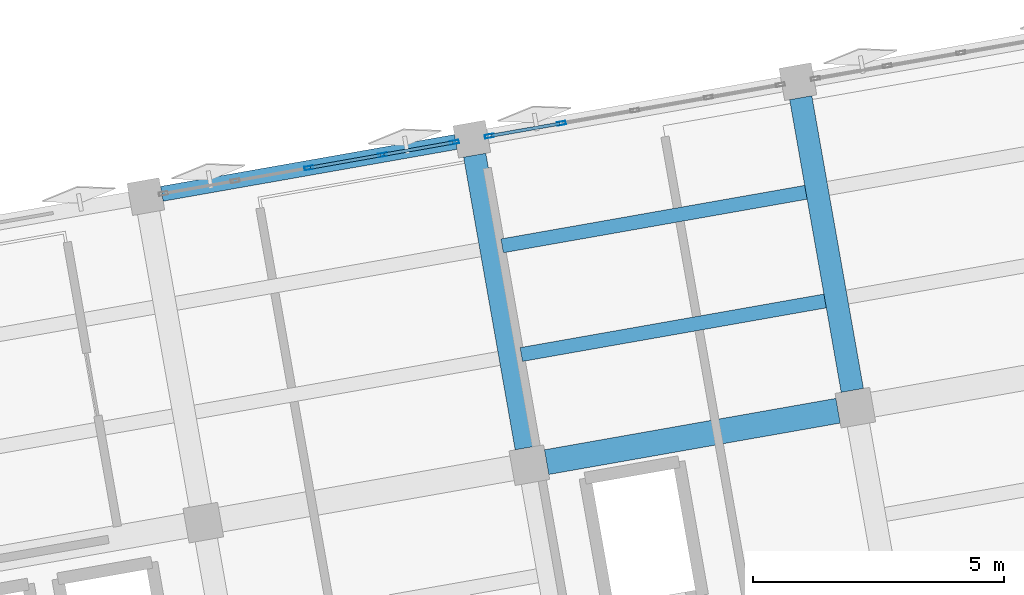
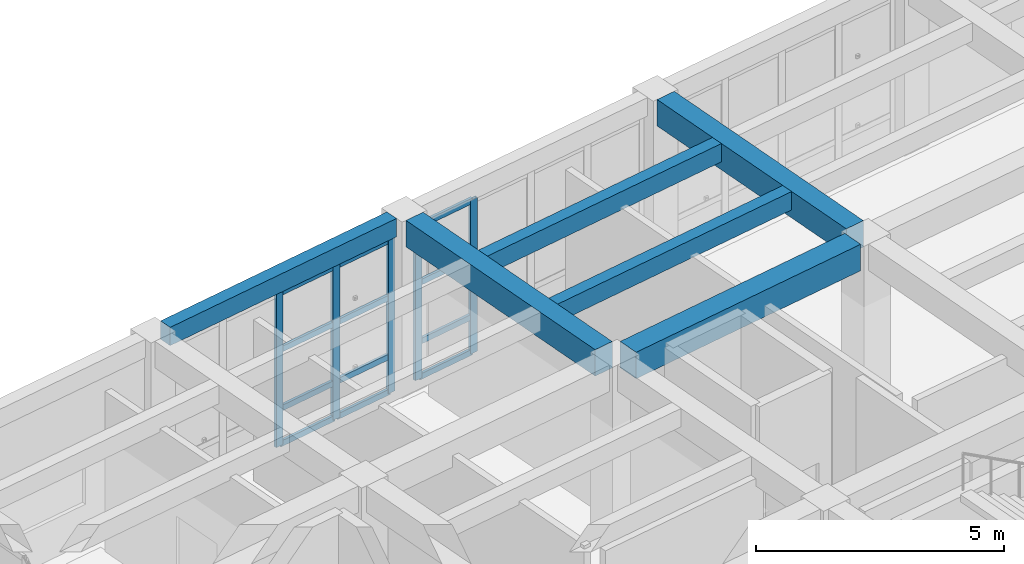
# One storey, part 16 of 67: 17 members, 6 beams, 2 elements without a shape of their own.
"""IFC4 building model written with IfcOpenShell, lengths in metres."""

from ifc_helpers import new_model, si_unit, direction, frame, origin, origin_2d, place, context, subcontext, project, spatial, rectangle, hollow_rectangle, extrude, material, layer, layer_set, material_profile, profile_set, type_object, element, aggregate, save


model = new_model("IFC4")

# Units and contexts
model_context = context("Model", 3, precision=1e-05, world=origin(), true_north=direction((0.0, 1.0)))
body_context = subcontext(model_context, "Body", "Model", "MODEL_VIEW")
ifc_project = project(units=[si_unit("LENGTHUNIT", "METRE"), si_unit("AREAUNIT", "SQUARE_METRE"), si_unit("VOLUMEUNIT", "CUBIC_METRE"), si_unit("PLANEANGLEUNIT", "RADIAN"), si_unit("MASSUNIT", "GRAM", prefix="KILO")], contexts=[model_context])

# Site, building, storey
site_placement = place(None, origin())
site = spatial("IfcSite", under=ifc_project, at=site_placement, CompositionType="ELEMENT")
building_placement = place(site_placement, origin())
building = spatial("IfcBuilding", under=site, at=building_placement, Name="Kharisveld Research Institute", CompositionType="ELEMENT")
storey_placement = place(building_placement, frame((0.0, 0.0, 9.60009765625)))
storey = spatial("IfcBuildingStorey", under=building, at=storey_placement, Name="L02", CompositionType="ELEMENT", Elevation=9.60009765625)

# Beams
ifc_material_1 = material(Name="Concrete C40/50", Category="concrete")
ifc_material_profile_1 = material_profile(ifc_material_1, rectangle(XDim=0.449951171875, YDim=0.64990234375, at=origin_2d()))
ifc_profile_set_1 = profile_set([ifc_material_profile_1], Name="Concrete C40/50")
beam_type_1 = type_object("IfcBeamType", Name="BM_RC_450x650", PredefinedType="BEAM", material=ifc_profile_set_1)
for number, where, z_axis, x_axis, name in (
    (1, (15.846435546875, 50.646240234375, 3.994873046875), (-0.173639592071, 0.984809266846, 0.0), (-0.984809266846, -0.173639592071, 0.0), "BM:V1:L02:V2_2"),
    (2, (22.34619140625, 51.79248046875, 3.994873046875), (-0.173639592071, 0.984809266846, 0.0), (-0.984809266846, -0.173639592071, 0.0), "BM:V1:L02:V3_2"),
):
    element("IfcBeam", number, at=place(storey_placement, frame(where, z_axis=z_axis, x_axis=x_axis)), inside=storey, type_object=beam_type_1, Name=name, PredefinedType="BEAM", context=body_context, shape_type="SweptSolid", body=[
        extrude(rectangle(XDim=0.449951171875, YDim=0.64990234375, at=origin_2d()), origin(), (0.0, 0.0, 1.0), 5.925048828125),
    ])
ifc_material_2 = material(Name="Concrete C40/50", Category="concrete")
ifc_material_profile_2 = material_profile(ifc_material_2, rectangle(XDim=0.5, YDim=0.64990234375, at=origin_2d()))
ifc_profile_set_2 = profile_set([ifc_material_profile_2], Name="Concrete C40/50")
beam_type_2 = type_object("IfcBeamType", Name="BM_RC_500x650", PredefinedType="BEAM", material=ifc_profile_set_2)
beam_1_placement = place(storey_placement, frame((16.251953125, 50.3623046875, 3.994873046875), z_axis=(0.984803548023, 0.173672023659, 0.0), x_axis=(-0.173672023659, 0.984803548023, 0.0)))
element("IfcBeam", 3, at=beam_1_placement, inside=storey, type_object=beam_type_2, Name="BM:V1:L02:U2_2", PredefinedType="BEAM", context=body_context, shape_type="SweptSolid", body=[
    extrude(rectangle(XDim=0.5, YDim=0.64990234375, at=origin_2d()), origin(), (0.0, 0.0, 1.0), 5.89990234375),
])

# Curtain wall, members
ifc_material_3 = material(Name="Thermally Broken Aluminium Curtain Wall", Category="aluminium")
ifc_layer_1 = layer(ifc_material_3, 0.159912109375)
ifc_layer_set_1 = layer_set([ifc_layer_1], Name="CW_SYS_02")
curtain_wall_type_1 = type_object("IfcCurtainWallType", Name="CW_SYS_02", PredefinedType="NOTDEFINED", material=ifc_layer_set_1)
curtain_wall_1_placement = place(storey_placement, origin())
curtain_wall_1 = element("IfcCurtainWall", 4, at=curtain_wall_1_placement, inside=storey, type_object=curtain_wall_type_1, Name="CW:V1:L02:N1", PredefinedType="NOTDEFINED")
ifc_material_4 = material(Name="Anodised Aluminium AW-6063-T6", Category="aluminium")
ifc_material_profile_3 = material_profile(ifc_material_4, hollow_rectangle(XDim=0.070068359375, YDim=0.179931640625, WallThickness=0.00439453125, at=origin_2d()))
ifc_profile_set_3 = profile_set([ifc_material_profile_3], Name="Anodised Aluminium AW-6063-T6")
member_type_1 = type_object("IfcMemberType", Name="CW_MUL_180", PredefinedType="MULLION", material=ifc_profile_set_3)
member_1_placement = place(storey_placement, frame((11.511474609375, 56.228271484375, 0.0), z_axis=(0.0, 0.0, 1.0), x_axis=(-0.173648295062, 0.984807732312, 0.0)))
member_1 = element("IfcMember", 5, at=member_1_placement, type_object=member_type_1, Name="CW-02 mullion 3", PredefinedType="MULLION", context=body_context, shape_type="SweptSolid", body=[
    extrude(hollow_rectangle(XDim=0.070068359375, YDim=0.179931640625, WallThickness=0.00439453125, at=origin_2d()), origin(), (0.0, 0.0, 1.0), 3.77978515625),
])
member_2_placement = place(storey_placement, frame((12.978759765625, 56.487060546875, 0.0), z_axis=(0.0, 0.0, 1.0), x_axis=(-0.173648295062, 0.984807732312, 0.0)))
member_2 = element("IfcMember", 6, at=member_2_placement, type_object=member_type_1, Name="CW-02 mullion 4", PredefinedType="MULLION", context=body_context, shape_type="SweptSolid", body=[
    extrude(hollow_rectangle(XDim=0.070068359375, YDim=0.179931640625, WallThickness=0.00439453125, at=origin_2d()), origin(), (0.0, 0.0, 1.0), 3.77978515625),
])
member_3_placement = place(storey_placement, frame((14.41162109375, 56.73974609375, 0.0), z_axis=(0.0, 0.0, 1.0), x_axis=(-0.173648295062, 0.984807732312, 0.0)))
member_3 = element("IfcMember", 7, at=member_3_placement, type_object=member_type_1, Name="CW-02 mullion 5", PredefinedType="MULLION", context=body_context, shape_type="SweptSolid", body=[
    extrude(hollow_rectangle(XDim=0.070068359375, YDim=0.179931640625, WallThickness=0.00439453125, at=origin_2d()), origin(), (0.0, 0.0, 1.0), 3.77978515625),
])

ifc_material_5 = material(Name="Thermally Broken Aluminium Curtain Wall", Category="aluminium")
ifc_layer_2 = layer(ifc_material_5, 0.159912109375)
ifc_layer_set_2 = layer_set([ifc_layer_2], Name="CW_SYS_03")
curtain_wall_type_2 = type_object("IfcCurtainWallType", Name="CW_SYS_03", PredefinedType="NOTDEFINED", material=ifc_layer_set_2)
curtain_wall_2_placement = place(storey_placement, origin())
curtain_wall_2 = element("IfcCurtainWall", 8, at=curtain_wall_2_placement, inside=storey, type_object=curtain_wall_type_2, Name="CW:V1:L02:N2", PredefinedType="NOTDEFINED")
member_4_placement = place(storey_placement, frame((15.11083984375, 56.863037109375, 0.0), z_axis=(0.0, 0.0, 1.0), x_axis=(-0.173648266375, 0.984807737371, 0.0)))
member_4 = element("IfcMember", 9, at=member_4_placement, type_object=member_type_1, Name="CW-03 mullion 1", PredefinedType="MULLION", context=body_context, shape_type="SweptSolid", body=[
    extrude(hollow_rectangle(XDim=0.070068359375, YDim=0.179931640625, WallThickness=0.00439453125, at=origin_2d()), origin(), (0.0, 0.0, 1.0), 3.77978515625),
])
member_5_placement = place(storey_placement, frame((16.543701171875, 57.11572265625, 0.0), z_axis=(0.0, 0.0, 1.0), x_axis=(-0.173648266375, 0.984807737371, 0.0)))
member_5 = element("IfcMember", 10, at=member_5_placement, type_object=member_type_1, Name="CW-03 mullion 2", PredefinedType="MULLION", context=body_context, shape_type="SweptSolid", body=[
    extrude(hollow_rectangle(XDim=0.070068359375, YDim=0.179931640625, WallThickness=0.00439453125, at=origin_2d()), origin(), (0.0, 0.0, 1.0), 3.77978515625),
])

# Member
ifc_material_6 = material(Name="Anodised Aluminium AW-6063-T6", Category="aluminium")
ifc_material_profile_4 = material_profile(ifc_material_6, hollow_rectangle(XDim=0.06494140625, YDim=0.139892578125, WallThickness=0.00390625, at=origin_2d()))
ifc_profile_set_4 = profile_set([ifc_material_profile_4], Name="Anodised Aluminium AW-6063-T6")
member_type_2 = type_object("IfcMemberType", Name="CW_TRN_140", PredefinedType="USERDEFINED", material=ifc_profile_set_4)
member_6_placement = place(storey_placement, frame((11.5458984375, 56.234375, 0.032470703125), z_axis=(0.984807780811, 0.17364802001, 0.0), x_axis=(-0.17364802001, 0.984807780811, 0.0)))
member_6 = element("IfcMember", 11, at=member_6_placement, type_object=member_type_2, Name="CW-02 transom 3.1", ObjectType="TRANSOM", PredefinedType="USERDEFINED", context=body_context, shape_type="SweptSolid", body=[
    extrude(hollow_rectangle(XDim=0.06494140625, YDim=0.139892578125, WallThickness=0.00390625, at=origin_2d()), origin(), (0.0, 0.0, 1.0), 1.419921875),
])

member_7_placement = place(storey_placement, frame((11.5458984375, 56.234375, 0.89990234375), z_axis=(0.984807780811, 0.17364802001, 0.0), x_axis=(-0.17364802001, 0.984807780811, 0.0)))
member_7 = element("IfcMember", 12, at=member_7_placement, type_object=member_type_2, Name="CW-02 transom 3.2", ObjectType="TRANSOM", PredefinedType="USERDEFINED", context=body_context, shape_type="SweptSolid", body=[
    extrude(hollow_rectangle(XDim=0.06494140625, YDim=0.139892578125, WallThickness=0.00390625, at=origin_2d()), origin(), (0.0, 0.0, 1.0), 1.419921875),
])

member_8_placement = place(storey_placement, frame((11.5458984375, 56.234375, 2.349853515625), z_axis=(0.984807780811, 0.17364802001, 0.0), x_axis=(-0.17364802001, 0.984807780811, 0.0)))
member_8 = element("IfcMember", 13, at=member_8_placement, type_object=member_type_2, Name="CW-02 transom 3.3", ObjectType="TRANSOM", PredefinedType="USERDEFINED", context=body_context, shape_type="SweptSolid", body=[
    extrude(hollow_rectangle(XDim=0.06494140625, YDim=0.139892578125, WallThickness=0.00390625, at=origin_2d()), origin(), (0.0, 0.0, 1.0), 1.419921875),
])

member_9_placement = place(storey_placement, frame((11.5458984375, 56.234375, 3.747314453125), z_axis=(0.984807780811, 0.17364802001, 0.0), x_axis=(-0.17364802001, 0.984807780811, 0.0)))
member_9 = element("IfcMember", 14, at=member_9_placement, type_object=member_type_2, Name="CW-02 transom 3.4", ObjectType="TRANSOM", PredefinedType="USERDEFINED", context=body_context, shape_type="SweptSolid", body=[
    extrude(hollow_rectangle(XDim=0.06494140625, YDim=0.139892578125, WallThickness=0.00390625, at=origin_2d()), origin(), (0.0, 0.0, 1.0), 1.419921875),
])

member_10_placement = place(storey_placement, frame((13.01318359375, 56.4931640625, 0.032470703125), z_axis=(0.984811937912, 0.173624442249, 0.0), x_axis=(-0.173624442249, 0.984811937912, 0.0)))
member_10 = element("IfcMember", 15, at=member_10_placement, type_object=member_type_2, Name="CW-02 transom 4.1", ObjectType="TRANSOM", PredefinedType="USERDEFINED", context=body_context, shape_type="SweptSolid", body=[
    extrude(hollow_rectangle(XDim=0.06494140625, YDim=0.139892578125, WallThickness=0.00390625, at=origin_2d()), origin(), (0.0, 0.0, 1.0), 1.385009765625),
])

member_11_placement = place(storey_placement, frame((13.01318359375, 56.4931640625, 0.89990234375), z_axis=(0.984811937912, 0.173624442249, 0.0), x_axis=(-0.173624442249, 0.984811937912, 0.0)))
member_11 = element("IfcMember", 16, at=member_11_placement, type_object=member_type_2, Name="CW-02 transom 4.2", ObjectType="TRANSOM", PredefinedType="USERDEFINED", context=body_context, shape_type="SweptSolid", body=[
    extrude(hollow_rectangle(XDim=0.06494140625, YDim=0.139892578125, WallThickness=0.00390625, at=origin_2d()), origin(), (0.0, 0.0, 1.0), 1.385009765625),
])

member_12_placement = place(storey_placement, frame((13.01318359375, 56.4931640625, 2.349853515625), z_axis=(0.984811937912, 0.173624442249, 0.0), x_axis=(-0.173624442249, 0.984811937912, 0.0)))
member_12 = element("IfcMember", 17, at=member_12_placement, type_object=member_type_2, Name="CW-02 transom 4.3", ObjectType="TRANSOM", PredefinedType="USERDEFINED", context=body_context, shape_type="SweptSolid", body=[
    extrude(hollow_rectangle(XDim=0.06494140625, YDim=0.139892578125, WallThickness=0.00390625, at=origin_2d()), origin(), (0.0, 0.0, 1.0), 1.385009765625),
])

member_13_placement = place(storey_placement, frame((13.01318359375, 56.4931640625, 3.747314453125), z_axis=(0.984811937912, 0.173624442249, 0.0), x_axis=(-0.173624442249, 0.984811937912, 0.0)))
member_13 = element("IfcMember", 18, at=member_13_placement, type_object=member_type_2, Name="CW-02 transom 4.4", ObjectType="TRANSOM", PredefinedType="USERDEFINED", context=body_context, shape_type="SweptSolid", body=[
    extrude(hollow_rectangle(XDim=0.06494140625, YDim=0.139892578125, WallThickness=0.00390625, at=origin_2d()), origin(), (0.0, 0.0, 1.0), 1.385009765625),
])

aggregate(curtain_wall_1, [member_1, member_2, member_3, member_6, member_7, member_8, member_9, member_10, member_11, member_12, member_13])

member_14_placement = place(storey_placement, frame((15.145263671875, 56.869140625, 0.032470703125), z_axis=(0.984811937912, 0.173624442249, 0.0), x_axis=(-0.173624442249, 0.984811937912, 0.0)))
member_14 = element("IfcMember", 19, at=member_14_placement, type_object=member_type_2, Name="CW-03 transom 1.1", ObjectType="TRANSOM", PredefinedType="USERDEFINED", context=body_context, shape_type="SweptSolid", body=[
    extrude(hollow_rectangle(XDim=0.06494140625, YDim=0.139892578125, WallThickness=0.00390625, at=origin_2d()), origin(), (0.0, 0.0, 1.0), 1.385009765625),
])

member_15_placement = place(storey_placement, frame((15.145263671875, 56.869140625, 0.89990234375), z_axis=(0.984811937912, 0.173624442249, 0.0), x_axis=(-0.173624442249, 0.984811937912, 0.0)))
member_15 = element("IfcMember", 20, at=member_15_placement, type_object=member_type_2, Name="CW-03 transom 1.2", ObjectType="TRANSOM", PredefinedType="USERDEFINED", context=body_context, shape_type="SweptSolid", body=[
    extrude(hollow_rectangle(XDim=0.06494140625, YDim=0.139892578125, WallThickness=0.00390625, at=origin_2d()), origin(), (0.0, 0.0, 1.0), 1.385009765625),
])

member_16_placement = place(storey_placement, frame((15.145263671875, 56.869140625, 2.349853515625), z_axis=(0.984811937912, 0.173624442249, 0.0), x_axis=(-0.173624442249, 0.984811937912, 0.0)))
member_16 = element("IfcMember", 21, at=member_16_placement, type_object=member_type_2, Name="CW-03 transom 1.3", ObjectType="TRANSOM", PredefinedType="USERDEFINED", context=body_context, shape_type="SweptSolid", body=[
    extrude(hollow_rectangle(XDim=0.06494140625, YDim=0.139892578125, WallThickness=0.00390625, at=origin_2d()), origin(), (0.0, 0.0, 1.0), 1.385009765625),
])

member_17_placement = place(storey_placement, frame((15.145263671875, 56.869140625, 3.747314453125), z_axis=(0.984811937912, 0.173624442249, 0.0), x_axis=(-0.173624442249, 0.984811937912, 0.0)))
member_17 = element("IfcMember", 22, at=member_17_placement, type_object=member_type_2, Name="CW-03 transom 1.4", ObjectType="TRANSOM", PredefinedType="USERDEFINED", context=body_context, shape_type="SweptSolid", body=[
    extrude(hollow_rectangle(XDim=0.06494140625, YDim=0.139892578125, WallThickness=0.00390625, at=origin_2d()), origin(), (0.0, 0.0, 1.0), 1.385009765625),
])

aggregate(curtain_wall_2, [member_4, member_5, member_14, member_15, member_16, member_17])

# Beams
ifc_material_7 = material(Name="Concrete C40/50", Category="concrete")
ifc_material_profile_5 = material_profile(ifc_material_7, rectangle(XDim=0.300048828125, YDim=0.449951171875, at=origin_2d()))
ifc_profile_set_5 = profile_set([ifc_material_profile_5], Name="Concrete C40/50")
beam_type_3 = type_object("IfcBeamType", Name="SP_RC_300x450", PredefinedType="SPANDREL", material=ifc_profile_set_5)
beam_2_placement = place(storey_placement, frame((8.58154296875, 55.711669921875, 4.094970703125), z_axis=(0.984807920462, 0.173647228007, 0.0), x_axis=(-0.173647228007, 0.984807920462, 0.0)))
element("IfcBeam", 23, at=beam_2_placement, inside=storey, type_object=beam_type_3, Name="BM:V1:L02:U1_3", PredefinedType="SPANDREL", context=body_context, shape_type="SweptSolid", body=[
    extrude(rectangle(XDim=0.300048828125, YDim=0.449951171875, at=origin_2d()), origin(), (0.0, 0.0, 1.0), 5.949951171875),
])
ifc_material_8 = material(Name="Concrete C40/50", Category="concrete")
ifc_material_profile_6 = material_profile(ifc_material_8, rectangle(XDim=0.280029296875, YDim=0.449951171875, at=origin_2d()))
ifc_profile_set_6 = profile_set([ifc_material_profile_6], Name="Concrete C40/50")
beam_type_4 = type_object("IfcBeamType", Name="WB_RC_280x450", PredefinedType="JOIST", material=ifc_profile_set_6)
for number, where, z_axis, x_axis, name in (
    (24, (15.746826171875, 52.50732421875, 4.094970703125), (0.984809923515, 0.173635867682, 0.0), (-0.173635867682, 0.984809923515, 0.0), "BM:V1:L02:J_2_2_R1"),
    (25, (15.36474609375, 54.673828125, 4.094970703125), (0.984809923515, 0.173635867682, 0.0), (-0.173635867682, 0.984809923515, 0.0), "BM:V1:L02:J_2_2_R2"),
):
    element("IfcBeam", number, at=place(storey_placement, frame(where, z_axis=z_axis, x_axis=x_axis)), inside=storey, type_object=beam_type_4, Name=name, PredefinedType="JOIST", context=body_context, shape_type="SweptSolid", body=[
        extrude(rectangle(XDim=0.280029296875, YDim=0.449951171875, at=origin_2d()), origin(), (0.0, 0.0, 1.0), 6.150146484375),
    ])

save(model, "model.ifc")
